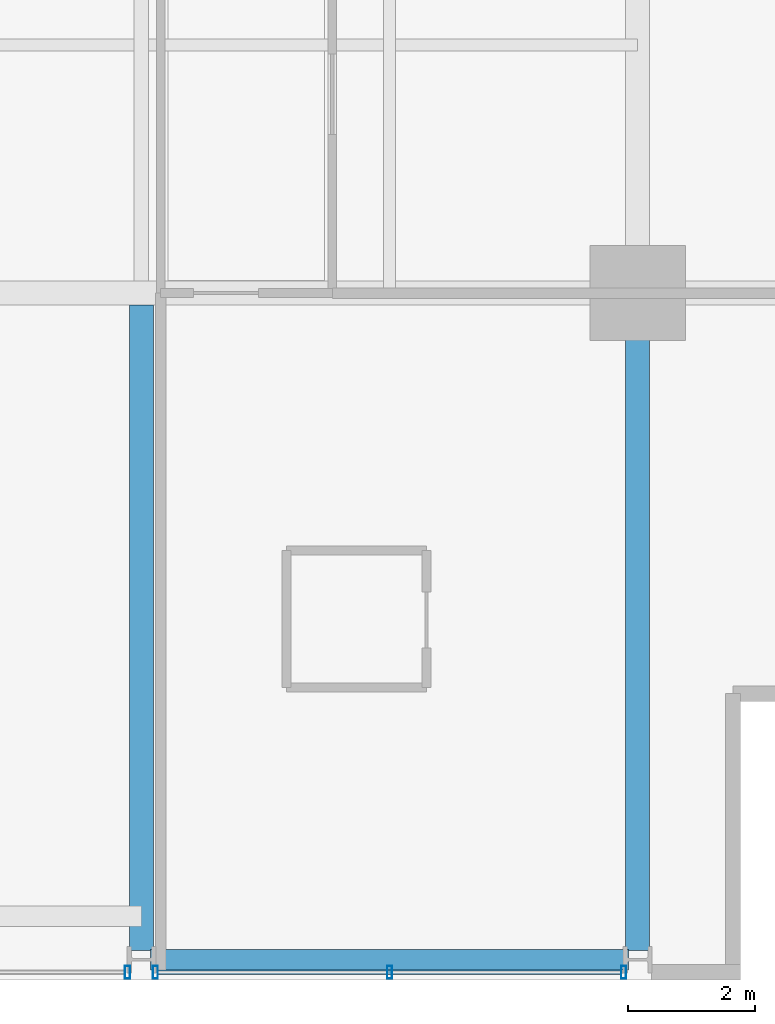
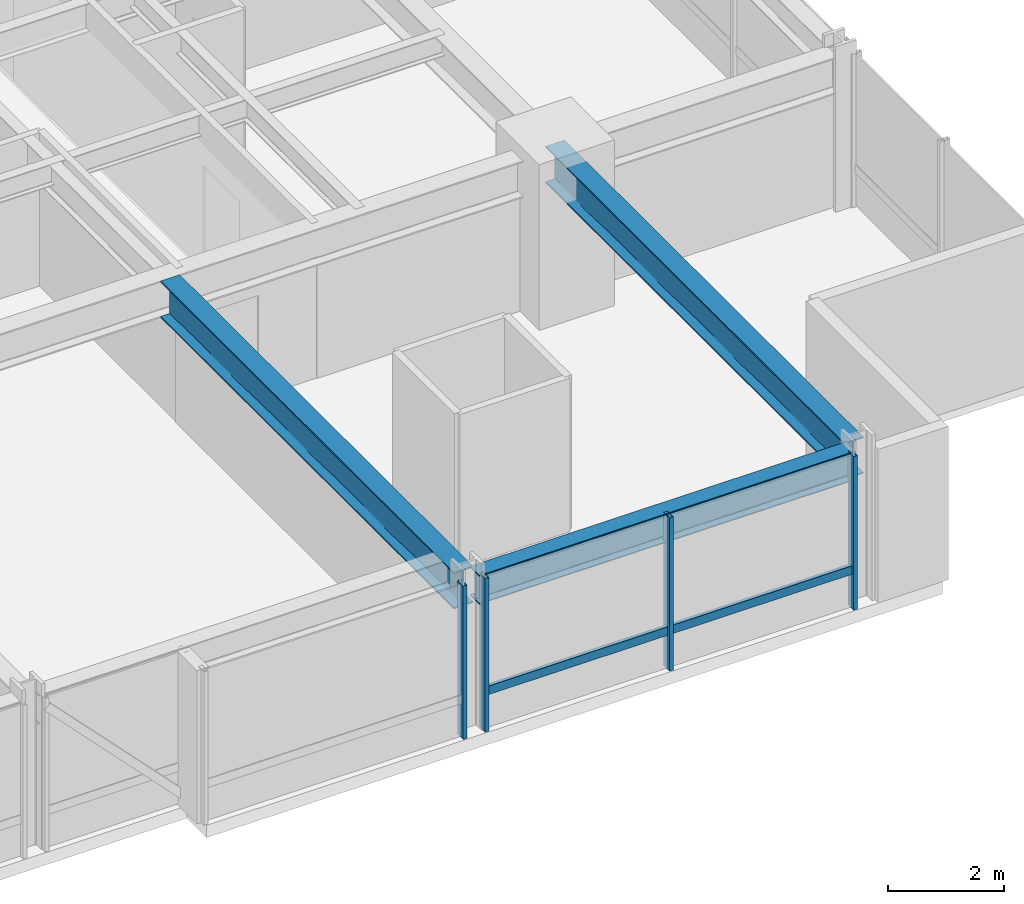
# One storey, part 11 of 34: 5 members, 3 beams, 2 elements without a shape of their own.
"""IFC4 building model written with IfcOpenShell, lengths in metres."""

from ifc_helpers import new_model, si_unit, direction, frame, origin, origin_2d, place, context, subcontext, project, spatial, hollow_rectangle, i_section, extrude, material, layer, layer_set, material_profile, profile_set, type_object, element, aggregate, save


model = new_model("IFC4")

# Units and contexts
model_context = context("Model", 3, precision=1e-05, world=origin(), true_north=direction((0.0, 1.0)))
body_context = subcontext(model_context, "Body", "Model", "MODEL_VIEW")
ifc_project = project(units=[si_unit("LENGTHUNIT", "METRE"), si_unit("AREAUNIT", "SQUARE_METRE"), si_unit("VOLUMEUNIT", "CUBIC_METRE"), si_unit("PLANEANGLEUNIT", "RADIAN"), si_unit("MASSUNIT", "GRAM", prefix="KILO")], contexts=[model_context])

# Site, building, storey
site_placement = place(None, origin())
site = spatial("IfcSite", under=ifc_project, at=site_placement, CompositionType="ELEMENT")
building_placement = place(site_placement, origin())
building = spatial("IfcBuilding", under=site, at=building_placement, Name="Drelvath Grand Hotel", CompositionType="ELEMENT")
storey_placement = place(building_placement, frame((0.0, 0.0, 102.300048828125)))
storey = spatial("IfcBuildingStorey", under=building, at=storey_placement, Name="L25", CompositionType="ELEMENT", Elevation=102.300048828125)

# Curtain wall, member
ifc_material_1 = material(Name="Champagne Bronze Anodised Aluminium Frame", Category="aluminium")
ifc_layer = layer(ifc_material_1, 0.199951171875)
ifc_layer_set = layer_set([ifc_layer], Name="Champagne Bronze Anodised Aluminium Frame")
curtain_wall_type = type_object("IfcCurtainWallType", Name="Stick Curtain Wall CW-03 Champagne Bronze Mid-Rise", PredefinedType="NOTDEFINED", material=ifc_layer_set)
curtain_wall_1_placement = place(storey_placement, origin())
curtain_wall_1 = element("IfcCurtainWall", 1, at=curtain_wall_1_placement, inside=storey, type_object=curtain_wall_type, Name="L25 CW-03 Curtain Wall CW03-L25-SE2", PredefinedType="NOTDEFINED")
ifc_material_profile_1 = material_profile(ifc_material_1, hollow_rectangle(XDim=0.074951171875, YDim=0.179931640625, WallThickness=0.0048828125, at=origin_2d()), Name="HSS180X75X5")
ifc_profile_set_1 = profile_set([ifc_material_profile_1], Name="Champagne Bronze Anodised Aluminium Frame")
member_type_1 = type_object("IfcMemberType", Name="Curtain Wall Horizontal Transom CW-03 HSS180X75X5", PredefinedType="USERDEFINED", material=ifc_profile_set_1)
member_1_placement = place(storey_placement, frame((15.9404296875, 0.1201171875, 0.81005859375), z_axis=(-1.0, 0.0, 0.0), x_axis=(0.0, -1.0, 0.0)))
member_1 = element("IfcMember", 2, at=member_1_placement, type_object=member_type_1, Name="CW03-L25-SE2 Sill Transom", ObjectType="TRANSOM", PredefinedType="USERDEFINED", context=body_context, shape_type="SweptSolid", body=[
    extrude(hollow_rectangle(XDim=0.074951171875, YDim=0.179931640625, WallThickness=0.0048828125, at=origin_2d()), origin(), (0.0, 0.0, 1.0), 7.28076171875),
])

curtain_wall_2_placement = place(storey_placement, origin())
curtain_wall_2 = element("IfcCurtainWall", 3, at=curtain_wall_2_placement, inside=storey, type_object=curtain_wall_type, Name="L25 CW-03 Curtain Wall CW03-L25-SE1", PredefinedType="NOTDEFINED")
ifc_material_profile_2 = material_profile(ifc_material_1, hollow_rectangle(XDim=0.080078125, YDim=0.199951171875, WallThickness=0.0048828125, at=origin_2d()), Name="HSS200X80X5")
ifc_profile_set_2 = profile_set([ifc_material_profile_2], Name="Champagne Bronze Anodised Aluminium Frame")
member_type_2 = type_object("IfcMemberType", Name="Curtain Wall Vertical Mullion CW-03 HSS200X80X5", PredefinedType="MULLION", material=ifc_profile_set_2)
member_2_placement = place(storey_placement, frame((8.180419921875, 0.1201171875, 0.0), z_axis=(0.0, 0.0, 1.0), x_axis=(1.0, 0.0, 0.0)))
member_2 = element("IfcMember", 4, at=member_2_placement, type_object=member_type_2, Name="CW03-L25-SE1 Mullion 1", PredefinedType="MULLION", context=body_context, shape_type="SweptSolid", body=[
    extrude(hollow_rectangle(XDim=0.080078125, YDim=0.199951171875, WallThickness=0.0048828125, at=origin_2d()), origin(), (0.0, 0.0, 1.0), 3.239990234375),
])
aggregate(curtain_wall_2, [member_2])

# Member
member_3_placement = place(storey_placement, frame((15.98046875, 0.1201171875, 0.0), z_axis=(0.0, 0.0, 1.0), x_axis=(1.0, 0.0, 0.0)))
member_3 = element("IfcMember", 5, at=member_3_placement, type_object=member_type_2, Name="CW03-L25-SE2 Mullion 1", PredefinedType="MULLION", context=body_context, shape_type="SweptSolid", body=[
    extrude(hollow_rectangle(XDim=0.080078125, YDim=0.199951171875, WallThickness=0.0048828125, at=origin_2d()), origin(), (0.0, 0.0, 1.0), 3.239990234375),
])

member_4_placement = place(storey_placement, frame((12.300048828125, 0.1201171875, 0.0), z_axis=(0.0, 0.0, 1.0), x_axis=(1.0, 0.0, 0.0)))
member_4 = element("IfcMember", 6, at=member_4_placement, type_object=member_type_2, Name="CW03-L25-SE2 Mullion 2", PredefinedType="MULLION", context=body_context, shape_type="SweptSolid", body=[
    extrude(hollow_rectangle(XDim=0.080078125, YDim=0.199951171875, WallThickness=0.0048828125, at=origin_2d()), origin(), (0.0, 0.0, 1.0), 3.239990234375),
])

member_5_placement = place(storey_placement, frame((8.61962890625, 0.1201171875, 0.0), z_axis=(0.0, 0.0, 1.0), x_axis=(1.0, 0.0, 0.0)))
member_5 = element("IfcMember", 7, at=member_5_placement, type_object=member_type_2, Name="CW03-L25-SE2 Mullion 3", PredefinedType="MULLION", context=body_context, shape_type="SweptSolid", body=[
    extrude(hollow_rectangle(XDim=0.080078125, YDim=0.199951171875, WallThickness=0.0048828125, at=origin_2d()), origin(), (0.0, 0.0, 1.0), 3.239990234375),
])

aggregate(curtain_wall_1, [member_3, member_4, member_5, member_1])

# Beams
ifc_material_2 = material(Name="Steel ASTM A992 Gr 50", Category="steel")
ifc_material_profile_3 = material_profile(ifc_material_2, i_section(OverallWidth=0.323974609375, OverallDepth=0.611083984375, WebThickness=0.0126953125, FlangeThickness=0.01904296875, FilletRadius=0.02197265625, at=origin_2d()), Name="W24X104")
ifc_profile_set_3 = profile_set([ifc_material_profile_3], Name="Steel ASTM A992 Gr 50")
beam_type_1 = type_object("IfcBeamType", Name="Perimeter Spandrel Beam W24X104", PredefinedType="SPANDREL", material=ifc_profile_set_3)
beam_1_placement = place(storey_placement, frame((8.5400390625, 0.320068359375, 2.9345703125), z_axis=(1.0, 0.0, 0.0), x_axis=(0.0, 1.0, 0.0)))
element("IfcBeam", 8, at=beam_1_placement, inside=storey, type_object=beam_type_1, Name="L25 Spandrel South E", PredefinedType="SPANDREL", context=body_context, shape_type="SweptSolid", body=[
    extrude(i_section(OverallWidth=0.323974609375, OverallDepth=0.611083984375, WebThickness=0.0126953125, FlangeThickness=0.01904296875, FilletRadius=0.02197265625, at=origin_2d()), origin(), (0.0, 0.0, 1.0), 7.52001953125),
])
ifc_material_profile_4 = material_profile(ifc_material_2, i_section(OverallWidth=0.380615234375, OverallDepth=0.773193359375, WebThickness=0.0166015625, FlangeThickness=0.027099609375, FilletRadius=0.02490234375, at=origin_2d()), Name="W30X173")
ifc_profile_set_4 = profile_set([ifc_material_profile_4], Name="Steel ASTM A992 Gr 50")
beam_type_2 = type_object("IfcBeamType", Name="Primary Floor Girder W30X173", PredefinedType="BEAM", material=ifc_profile_set_4)
beam_2_placement = place(storey_placement, frame((16.199951171875, 0.4599609375, 2.853271484375), z_axis=(0.0, 1.0, 0.0), x_axis=(-1.0, 0.0, 0.0)))
element("IfcBeam", 9, at=beam_2_placement, inside=storey, type_object=beam_type_2, Name="L25 South Grid Girder 7", PredefinedType="BEAM", context=body_context, shape_type="SweptSolid", body=[
    extrude(i_section(OverallWidth=0.380615234375, OverallDepth=0.773193359375, WebThickness=0.0166015625, FlangeThickness=0.027099609375, FilletRadius=0.02490234375, at=origin_2d()), origin(), (0.0, 0.0, 1.0), 10.340087890625),
])
beam_3_placement = place(storey_placement, frame((8.39990234375, 0.4599609375, 2.853271484375), z_axis=(0.0, 1.0, 0.0), x_axis=(-1.0, 0.0, 0.0)))
element("IfcBeam", 10, at=beam_3_placement, inside=storey, type_object=beam_type_2, Name="L25 South Wing Girder 6", PredefinedType="BEAM", context=body_context, shape_type="SweptSolid", body=[
    extrude(i_section(OverallWidth=0.380615234375, OverallDepth=0.773193359375, WebThickness=0.0166015625, FlangeThickness=0.027099609375, FilletRadius=0.02490234375, at=origin_2d()), origin(), (0.0, 0.0, 1.0), 10.149658203125),
])

save(model, "model.ifc")
